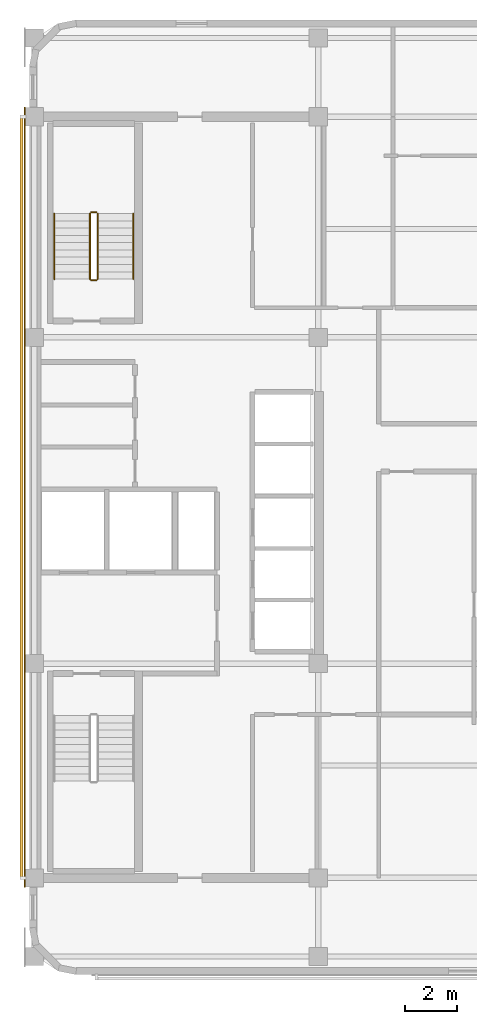
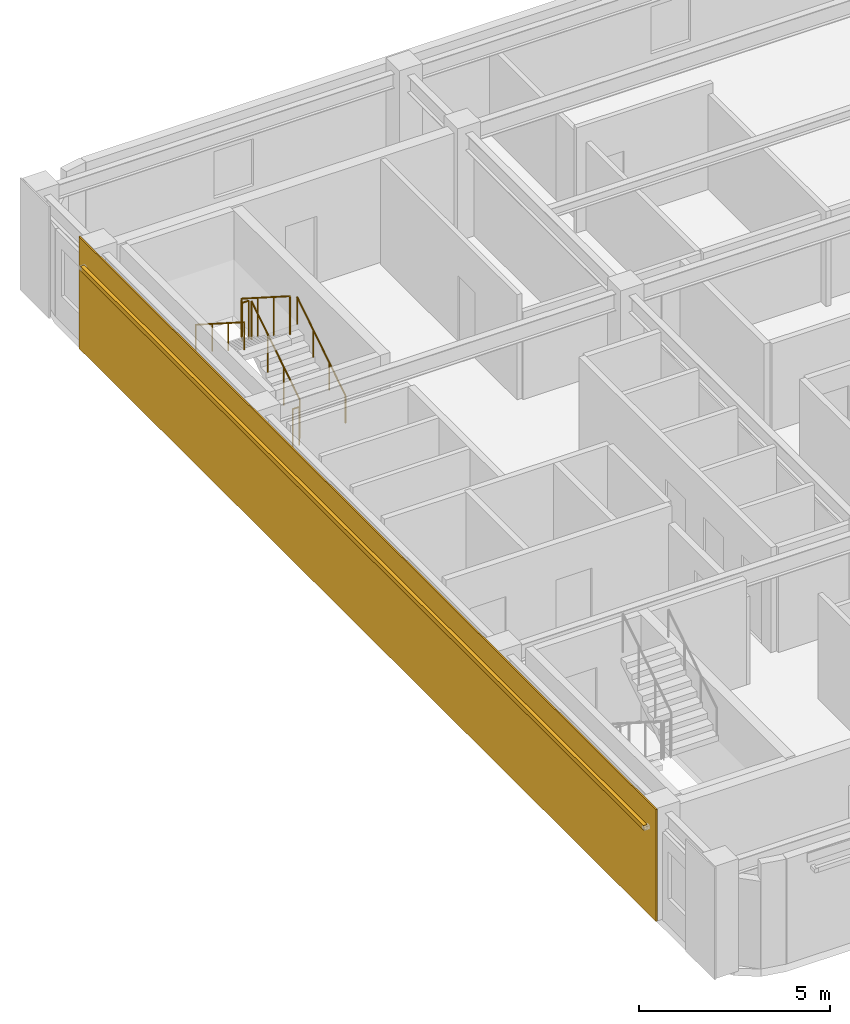
# One storey, part 9 of 10: 6 railings, 1 covering, 1 shading device.
"""IFC4 building model written with IfcOpenShell, lengths in metres."""

from ifc_helpers import new_model, si_unit, direction, frame, origin, origin_2d, place, context, subcontext, project, spatial, rectangle, circle, extrude, material, layer, layer_set, material_profile, profile_set, type_object, element, save


model = new_model("IFC4")

# Units and contexts
model_context = context("Model", 3, precision=1e-05, world=origin(), true_north=direction((0.0, 1.0)))
body_context = subcontext(model_context, "Body", "Model", "MODEL_VIEW")
ifc_project = project(units=[si_unit("LENGTHUNIT", "METRE"), si_unit("AREAUNIT", "SQUARE_METRE"), si_unit("VOLUMEUNIT", "CUBIC_METRE"), si_unit("PLANEANGLEUNIT", "RADIAN"), si_unit("MASSUNIT", "GRAM", prefix="KILO")], contexts=[model_context])

# Site, building, storey
site_placement = place(None, origin())
site = spatial("IfcSite", under=ifc_project, at=site_placement, CompositionType="ELEMENT")
building_placement = place(site_placement, origin())
building = spatial("IfcBuilding", under=site, at=building_placement, Name="Ochreholt Gables", CompositionType="ELEMENT")
storey_placement = place(building_placement, frame((0.0, 0.0, 267.60009765625)))
storey = spatial("IfcBuildingStorey", under=building, at=storey_placement, Name="L70", CompositionType="ELEMENT", Elevation=267.60009765625)

# Covering
ifc_material_1 = material(Name="Glazed Ochre Terracotta Rainscreen Cladding", Category="masonry")
ifc_layer = layer(ifc_material_1, 0.044921875, Name="Glazed Ochre Terracotta Rainscreen Cladding")
ifc_layer_set = layer_set([ifc_layer], Name="Glazed Ochre Terracotta Rainscreen Cladding")
covering_type = type_object("IfcCoveringType", Name="COV-CLAD-TC", PredefinedType="CLADDING", material=ifc_layer_set)
covering_placement = place(storey_placement, frame((23.827880859375, 24.0, 0.009765625), z_axis=(0.0, 0.0, 1.0), x_axis=(0.0, 1.0, 0.0)))
element("IfcCovering", 1, at=covering_placement, inside=storey, type_object=covering_type, Name="L70 West Core Terracotta Rainscreen Cladding", PredefinedType="CLADDING", context=body_context, shape_type="SweptSolid", body=[
    extrude(rectangle(XDim=30.239990234375, YDim=0.044921875, at=origin_2d()), origin(), (0.0, 0.0, 1.0), 3.580078125),
])

# Railings
ifc_material_2 = material(Name="Painted Steel Stair Guardrail", Category="steel")
railing_type_1 = type_object("IfcRailingType", Name="RL-ST-GUARD", PredefinedType="GUARDRAIL", material=ifc_material_2)
railing_1_placement = place(storey_placement, frame((26.64990234375, 32.4599609375, 0.179931640625)))
element("IfcRailing", 2, at=railing_1_placement, inside=storey, type_object=railing_type_1, Name="L70 ST-2 stair guard 1", PredefinedType="GUARDRAIL", context=body_context, shape_type="SweptSolid", body=[
    extrude(circle(Radius=0.02392578125, at=origin_2d()), frame((0.0, 0.0, 1.22607421875), z_axis=(0.0, 0.842949592929, 0.537992549931), x_axis=(-1.0, 0.0, 0.0)), (0.0, 0.0, 1.0), 3.010986328125),
    extrude(circle(Radius=0.02099609375, at=origin_2d()), origin(), (0.0, 0.0, 1.0), 1.201904296875),
    extrude(circle(Radius=0.02099609375, at=origin_2d()), frame((0.0, 0.845947265625, 0.5400390625)), (0.0, 0.0, 1.0), 1.201904296875),
    extrude(circle(Radius=0.02099609375, at=origin_2d()), frame((0.0, 1.692138671875, 1.079833984375)), (0.0, 0.0, 1.0), 1.201904296875),
    extrude(circle(Radius=0.02099609375, at=origin_2d()), frame((0.0, 2.5380859375, 1.619873046875)), (0.0, 0.0, 1.0), 1.201904296875),
])
railing_2_placement = place(storey_placement, frame((26.60009765625, 35.048095703125, 1.7998046875)))
element("IfcRailing", 3, at=railing_2_placement, inside=storey, type_object=railing_type_1, Name="L70 ST-2 stair guard 2", PredefinedType="GUARDRAIL", context=body_context, shape_type="SweptSolid", body=[
    extrude(circle(Radius=0.02392578125, at=origin_2d()), frame((0.0, 0.0, 1.22607421875), z_axis=(-1.0, 0.0, 0.0), x_axis=(0.0, -1.0, 0.0)), (0.0, 0.0, 1.0), 0.2001953125),
    extrude(circle(Radius=0.02099609375, at=origin_2d()), origin(), (0.0, 0.0, 1.0), 1.201904296875),
    extrude(circle(Radius=0.02099609375, at=origin_2d()), frame((-0.2001953125, 0.0, 0.0)), (0.0, 0.0, 1.0), 1.201904296875),
])
railing_3_placement = place(storey_placement, frame((26.35009765625, 34.998046875, 1.97998046875)))
element("IfcRailing", 4, at=railing_3_placement, inside=storey, type_object=railing_type_1, Name="L70 ST-2 stair guard 3", PredefinedType="GUARDRAIL", context=body_context, shape_type="SweptSolid", body=[
    extrude(circle(Radius=0.02392578125, at=origin_2d()), frame((0.0, 0.0, 1.22607421875), z_axis=(0.0, -0.842949592929, 0.537992549931), x_axis=(1.0, 0.0, 0.0)), (0.0, 0.0, 1.0), 3.010986328125),
    extrude(circle(Radius=0.02099609375, at=origin_2d()), origin(), (0.0, 0.0, 1.0), 1.201904296875),
    extrude(circle(Radius=0.02099609375, at=origin_2d()), frame((0.0, -0.845947265625, 0.5400390625)), (0.0, 0.0, 1.0), 1.201904296875),
    extrude(circle(Radius=0.02099609375, at=origin_2d()), frame((0.0, -1.692138671875, 1.079833984375)), (0.0, 0.0, 1.0), 1.201904296875),
    extrude(circle(Radius=0.02099609375, at=origin_2d()), frame((0.0, -2.5380859375, 1.619873046875)), (0.0, 0.0, 1.0), 1.201904296875),
])
railing_4_placement = place(storey_placement, frame((26.60009765625, 32.409912109375, 0.0)))
element("IfcRailing", 5, at=railing_4_placement, inside=storey, type_object=railing_type_1, Name="L70 ST-2 stair guard 4", PredefinedType="GUARDRAIL", context=body_context, shape_type="SweptSolid", body=[
    extrude(circle(Radius=0.02392578125, at=origin_2d()), frame((0.0, 0.0, 1.22607421875), z_axis=(-1.0, 0.0, 0.0), x_axis=(0.0, -1.0, 0.0)), (0.0, 0.0, 1.0), 0.2001953125),
    extrude(circle(Radius=0.02099609375, at=origin_2d()), origin(), (0.0, 0.0, 1.0), 1.201904296875),
    extrude(circle(Radius=0.02099609375, at=origin_2d()), frame((-0.2001953125, 0.0, 0.0)), (0.0, 0.0, 1.0), 1.201904296875),
])
ifc_material_3 = material(Name="Brushed Stainless Steel Wall Handrail", Category="steel")
railing_type_2 = type_object("IfcRailingType", Name="RL-ST-HAND", PredefinedType="HANDRAIL", material=ifc_material_3)
railing_5_placement = place(storey_placement, frame((28.030029296875, 32.4599609375, 0.179931640625)))
element("IfcRailing", 6, at=railing_5_placement, inside=storey, type_object=railing_type_2, Name="L70 ST-2 stair handrail 1", PredefinedType="HANDRAIL", context=body_context, shape_type="SweptSolid", body=[
    extrude(circle(Radius=0.02392578125, at=origin_2d()), frame((0.0, 0.0, 0.8759765625), z_axis=(0.0, 0.842949592929, 0.537992549931), x_axis=(-1.0, 0.0, 0.0)), (0.0, 0.0, 1.0), 3.010986328125),
    extrude(circle(Radius=0.02099609375, at=origin_2d()), origin(), (0.0, 0.0, 1.0), 0.851806640625),
    extrude(circle(Radius=0.02099609375, at=origin_2d()), frame((0.0, 0.845947265625, 0.5400390625)), (0.0, 0.0, 1.0), 0.851806640625),
    extrude(circle(Radius=0.02099609375, at=origin_2d()), frame((0.0, 1.692138671875, 1.079833984375)), (0.0, 0.0, 1.0), 0.851806640625),
    extrude(circle(Radius=0.02099609375, at=origin_2d()), frame((0.0, 2.5380859375, 1.619873046875)), (0.0, 0.0, 1.0), 0.851806640625),
])
railing_6_placement = place(storey_placement, frame((24.969970703125, 34.998046875, 1.97998046875)))
element("IfcRailing", 7, at=railing_6_placement, inside=storey, type_object=railing_type_2, Name="L70 ST-2 stair handrail 2", PredefinedType="HANDRAIL", context=body_context, shape_type="SweptSolid", body=[
    extrude(circle(Radius=0.02392578125, at=origin_2d()), frame((0.0, 0.0, 0.8759765625), z_axis=(0.0, -0.842949592929, 0.537992549931), x_axis=(1.0, 0.0, 0.0)), (0.0, 0.0, 1.0), 3.010986328125),
    extrude(circle(Radius=0.02099609375, at=origin_2d()), origin(), (0.0, 0.0, 1.0), 0.851806640625),
    extrude(circle(Radius=0.02099609375, at=origin_2d()), frame((0.0, -0.845947265625, 0.5400390625)), (0.0, 0.0, 1.0), 0.851806640625),
    extrude(circle(Radius=0.02099609375, at=origin_2d()), frame((0.0, -1.692138671875, 1.079833984375)), (0.0, 0.0, 1.0), 0.851806640625),
    extrude(circle(Radius=0.02099609375, at=origin_2d()), frame((0.0, -2.5380859375, 1.619873046875)), (0.0, 0.0, 1.0), 0.851806640625),
])

# Shading device
ifc_material_4 = material(Name="Warm Ochre Glazed Terracotta Baguette", Category="masonry")
ifc_material_profile = material_profile(ifc_material_4, rectangle(XDim=0.110107421875, YDim=0.14990234375, at=origin_2d()), Name="TCBAG110X150")
ifc_profile_set = profile_set([ifc_material_profile], Name="Warm Ochre Glazed Terracotta Baguette")
shading_device_type = type_object("IfcShadingDeviceType", Name="SHD-BAGUETTE", PredefinedType="USERDEFINED", material=ifc_profile_set)
shading_device_placement = place(storey_placement, frame((23.699951171875, 38.75, 2.83984375), z_axis=(0.0, -1.0, 0.0), x_axis=(1.0, 0.0, 0.0)))
element("IfcShadingDevice", 8, at=shading_device_placement, inside=storey, type_object=shading_device_type, Name="L70 Terracotta Baguette Screen W-1", ObjectType="BAGUETTE", PredefinedType="USERDEFINED", context=body_context, shape_type="SweptSolid", body=[
    extrude(rectangle(XDim=0.110107421875, YDim=0.14990234375, at=origin_2d()), origin(), (0.0, 0.0, 1.0), 29.5),
])

save(model, "model.ifc")
